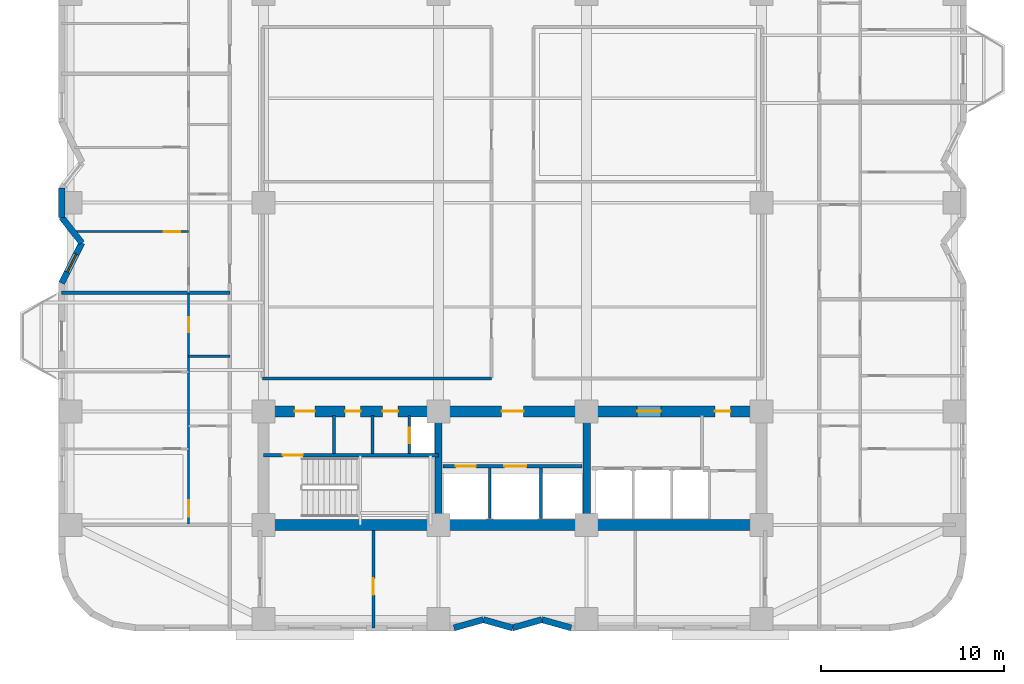
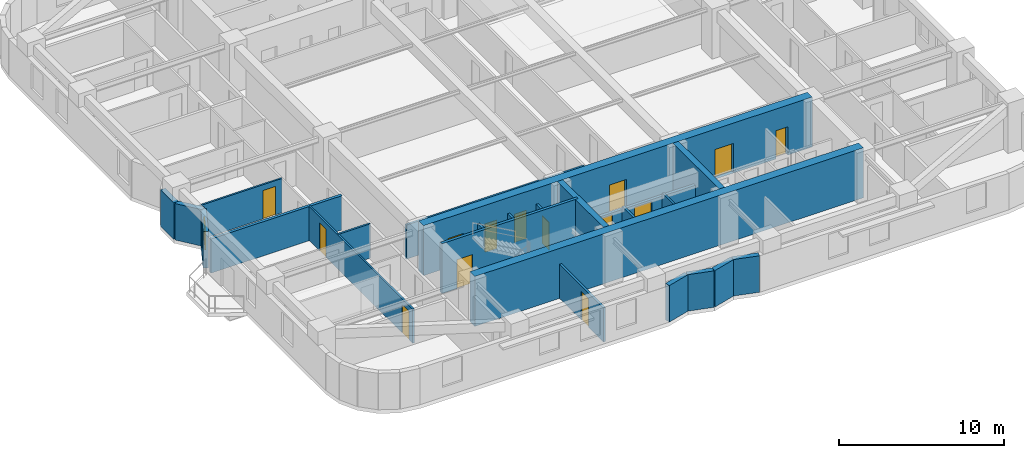
# One storey, part 3 of 10: 24 walls, 14 doors, 1 window, 15 openings.
"""IFC4 building model written with IfcOpenShell, lengths in metres."""

from ifc_helpers import new_model, si_unit, direction, frame, frame_2d, origin, place, context, subcontext, project, spatial, rectangle, extrude, material, layer, layer_set, type_object, element, fill, save


model = new_model("IFC4")

# Units and contexts
model_context = context("Model", 3, precision=1e-05, world=origin(), true_north=direction((0.0, 1.0)))
body_context = subcontext(model_context, "Body", "Model", "MODEL_VIEW")
ifc_project = project(units=[si_unit("LENGTHUNIT", "METRE"), si_unit("AREAUNIT", "SQUARE_METRE"), si_unit("VOLUMEUNIT", "CUBIC_METRE"), si_unit("PLANEANGLEUNIT", "RADIAN"), si_unit("MASSUNIT", "GRAM", prefix="KILO")], contexts=[model_context])

# Site, building, storey
site_placement = place(None, origin())
site = spatial("IfcSite", under=ifc_project, at=site_placement, CompositionType="ELEMENT")
building_placement = place(site_placement, origin())
building = spatial("IfcBuilding", under=site, at=building_placement, Name="Svetorya Sky Lyceum", CompositionType="ELEMENT")
storey_placement = place(building_placement, frame((0.0, 0.0, 69.5)))
storey = spatial("IfcBuildingStorey", under=building, at=storey_placement, Name="L17", CompositionType="ELEMENT", Elevation=69.5)

# Walls
ifc_material_1 = material(Name="Concrete C40/50", Category="concrete")
ifc_layer_1 = layer(ifc_material_1, 0.39990234375)
ifc_layer_set_1 = layer_set([ifc_layer_1], Name="Concrete C40/50")
wall_type_1 = type_object("IfcWallType", Name="WL-CORE-400", PredefinedType="SHEAR", material=ifc_layer_set_1)
for number, where, z_axis, x_axis, name in (
    (1, (35.14990234375, 10.89990234375, 0.0), (0.0, 0.0, 1.0), (0.0, 1.0, 0.0), "L17 SC Internal Shear Web WEB1"),
    (2, (43.25, 10.89990234375, 0.0), (0.0, 0.0, 1.0), (0.0, 1.0, 0.0), "L17 SC Internal Shear Web WEB2"),
):
    element("IfcWall", number, at=place(storey_placement, frame(where, z_axis=z_axis, x_axis=x_axis)), inside=storey, type_object=wall_type_1, Name=name, PredefinedType="SHEAR", context=body_context, shape_type="SweptSolid", body=[
        extrude(rectangle(XDim=5.60009765625, YDim=0.39990234375, at=frame_2d((2.800048828125, 0.0))), origin(), (0.0, 0.0, 1.0), 3.699951171875),
    ])
ifc_material_2 = material(Name="Concrete C60/75", Category="concrete")
ifc_layer_2 = layer(ifc_material_2, 0.60009765625)
ifc_layer_set_2 = layer_set([ifc_layer_2], Name="Concrete C60/75")
wall_type_2 = type_object("IfcWallType", Name="WL-CORE-600", PredefinedType="SHEAR", material=ifc_layer_set_2)
wall_1_placement = place(storey_placement, frame((52.800048828125, 10.60009765625, 0.0), z_axis=(0.0, 0.0, 1.0), x_axis=(-1.0, 0.0, 0.0)))
element("IfcWall", 3, at=wall_1_placement, inside=storey, type_object=wall_type_2, Name="L17 SC Outer Core Shear Wall", PredefinedType="SHEAR", context=body_context, shape_type="SweptSolid", body=[
    extrude(rectangle(XDim=27.199951171875, YDim=0.60009765625, at=frame_2d((13.60009765625, 0.0))), origin(), (0.0, 0.0, 1.0), 3.699951171875),
])

# Wall, openings, doors
wall_2_placement = place(storey_placement, frame((25.60009765625, 16.800048828125, 0.0), z_axis=(0.0, 0.0, 1.0), x_axis=(1.0, 0.0, 0.0)))
wall_2 = element("IfcWall", 4, at=wall_2_placement, inside=storey, type_object=wall_type_2, Name="L17 SC Inner Core Shear Wall", PredefinedType="SHEAR", context=body_context, shape_type="SweptSolid", body=[
    extrude(rectangle(XDim=27.199951171875, YDim=0.60009765625, at=frame_2d((13.60009765625, 0.0))), origin(), (0.0, 0.0, 1.0), 3.699951171875),
])
opening_1_placement = place(wall_2_placement, frame((1.699951171875, 0.0, 0.0)))
opening_1 = element("IfcOpeningElement", 5, at=opening_1_placement, cuts=wall_2, Name="Opening D-ST1", PredefinedType="OPENING", context=body_context, shape_type="SweptSolid", body=[
    extrude(rectangle(XDim=1.10009765625, YDim=2.14990234375, at=frame_2d((0.550048828125, 1.074951171875))), frame((0.0, 0.31005859375, 0.0), z_axis=(0.0, -1.0, 0.0), x_axis=(1.0, 0.0, 0.0)), (0.0, 0.0, 1.0), 0.6201171875),
])
opening_2_placement = place(wall_2_placement, frame((4.449951171875, 0.0, 0.0)))
opening_2 = element("IfcOpeningElement", 6, at=opening_2_placement, cuts=wall_2, Name="Opening D-CWC1", PredefinedType="OPENING", context=body_context, shape_type="SweptSolid", body=[
    extrude(rectangle(XDim=0.85009765625, YDim=2.10009765625, at=frame_2d((0.425048828125, 1.050048828125))), frame((0.0, 0.31005859375, 0.0), z_axis=(0.0, -1.0, 0.0), x_axis=(1.0, 0.0, 0.0)), (0.0, 0.0, 1.0), 0.6201171875),
])
opening_3_placement = place(wall_2_placement, frame((6.5, 0.0, 0.0)))
opening_3 = element("IfcOpeningElement", 7, at=opening_3_placement, cuts=wall_2, Name="Opening D-CWC1", PredefinedType="OPENING", context=body_context, shape_type="SweptSolid", body=[
    extrude(rectangle(XDim=0.85009765625, YDim=2.10009765625, at=frame_2d((0.425048828125, 1.050048828125))), frame((0.0, 0.31005859375, 0.0), z_axis=(0.0, -1.0, 0.0), x_axis=(1.0, 0.0, 0.0)), (0.0, 0.0, 1.0), 0.6201171875),
])
opening_4_placement = place(wall_2_placement, frame((13.0, 0.0, 0.0)))
opening_4 = element("IfcOpeningElement", 8, at=opening_4_placement, cuts=wall_2, Name="Opening D-FL1", PredefinedType="OPENING", context=body_context, shape_type="SweptSolid", body=[
    extrude(rectangle(XDim=1.199951171875, YDim=2.14990234375, at=frame_2d((0.60009765625, 1.074951171875))), frame((0.0, 0.31005859375, 0.0), z_axis=(0.0, -1.0, 0.0), x_axis=(1.0, 0.0, 0.0)), (0.0, 0.0, 1.0), 0.6201171875),
])
opening_5_placement = place(wall_2_placement, frame((20.39990234375, 0.0, 0.0)))
opening_5 = element("IfcOpeningElement", 9, at=opening_5_placement, cuts=wall_2, Name="Opening D-LB1", PredefinedType="OPENING", context=body_context, shape_type="SweptSolid", body=[
    extrude(rectangle(XDim=1.300048828125, YDim=2.199951171875, at=frame_2d((0.64990234375, 1.10009765625))), frame((0.0, 0.31005859375, 0.0), z_axis=(0.0, -1.0, 0.0), x_axis=(1.0, 0.0, 0.0)), (0.0, 0.0, 1.0), 0.6201171875),
])
opening_6_placement = place(wall_2_placement, frame((24.64990234375, 0.0, 0.0)))
opening_6 = element("IfcOpeningElement", 10, at=opening_6_placement, cuts=wall_2, Name="Opening D-CWC1", PredefinedType="OPENING", context=body_context, shape_type="SweptSolid", body=[
    extrude(rectangle(XDim=0.85009765625, YDim=2.10009765625, at=frame_2d((0.425048828125, 1.050048828125))), frame((0.0, 0.31005859375, 0.0), z_axis=(0.0, -1.0, 0.0), x_axis=(1.0, 0.0, 0.0)), (0.0, 0.0, 1.0), 0.6201171875),
])
ifc_material_3 = material(Name="Fire-rated galvanized steel core service closet door", Category="steel")
door_type_1 = type_object("IfcDoorType", Name="DR-CWET-850", OperationType="SINGLE_SWING_LEFT", PredefinedType="DOOR", material=ifc_material_3)
door_1_placement = place(opening_2_placement, origin())
door_1 = element("IfcDoor", 11, at=door_1_placement, inside=storey, type_object=door_type_1, Name="L17 South Mop Closet Door", OperationType="SINGLE_SWING_LEFT", OverallHeight=2.10009765625, OverallWidth=0.85009765625, PredefinedType="DOOR", context=body_context, shape_type="SweptSolid", body=[
    extrude(rectangle(XDim=0.85009765625, YDim=2.10009765625, at=frame_2d((0.425048828125, 1.050048828125))), frame((0.0, 0.02490234375, 0.0), z_axis=(0.0, -1.0, 0.0), x_axis=(1.0, 0.0, 0.0)), (0.0, 0.0, 1.0), 0.050048828125),
])
fill(opening_2, door_1)
door_2_placement = place(opening_3_placement, origin())
door_2 = element("IfcDoor", 12, at=door_2_placement, inside=storey, type_object=door_type_1, Name="L17 South West WC Door", OperationType="SINGLE_SWING_RIGHT", OverallHeight=2.10009765625, OverallWidth=0.85009765625, PredefinedType="DOOR", context=body_context, shape_type="SweptSolid", body=[
    extrude(rectangle(XDim=0.85009765625, YDim=2.10009765625, at=frame_2d((0.425048828125, 1.050048828125))), frame((0.0, 0.02490234375, 0.0), z_axis=(0.0, -1.0, 0.0), x_axis=(1.0, 0.0, 0.0)), (0.0, 0.0, 1.0), 0.050048828125),
])
fill(opening_3, door_2)
door_3_placement = place(opening_6_placement, origin())
door_3 = element("IfcDoor", 13, at=door_3_placement, inside=storey, type_object=door_type_1, Name="L17 South Core Auxiliary Door", OperationType="SINGLE_SWING_LEFT", OverallHeight=2.10009765625, OverallWidth=0.85009765625, PredefinedType="DOOR", context=body_context, shape_type="SweptSolid", body=[
    extrude(rectangle(XDim=0.85009765625, YDim=2.10009765625, at=frame_2d((0.425048828125, 1.050048828125))), frame((0.0, 0.02490234375, 0.0), z_axis=(0.0, -1.0, 0.0), x_axis=(1.0, 0.0, 0.0)), (0.0, 0.0, 1.0), 0.050048828125),
])
fill(opening_6, door_3)
ifc_material_4 = material(Name="Powder-coated insulated galvanized stair fire door")
door_type_2 = type_object("IfcDoorType", Name="DR-FIRE-1100", OperationType="SINGLE_SWING_LEFT", PredefinedType="DOOR", material=ifc_material_4)
door_4_placement = place(opening_1_placement, origin())
door_4 = element("IfcDoor", 14, at=door_4_placement, inside=storey, type_object=door_type_2, Name="L17 South Stair Airlock Door", OperationType="SINGLE_SWING_RIGHT", OverallHeight=2.14990234375, OverallWidth=1.10009765625, PredefinedType="DOOR", context=body_context, shape_type="SweptSolid", body=[
    extrude(rectangle(XDim=1.10009765625, YDim=2.14990234375, at=frame_2d((0.550048828125, 1.074951171875))), frame((0.0, 0.02490234375, 0.0), z_axis=(0.0, -1.0, 0.0), x_axis=(1.0, 0.0, 0.0)), (0.0, 0.0, 1.0), 0.050048828125),
])
fill(opening_1, door_4)
ifc_material_5 = material(Name="Powder-coated insulated galvanized fire door")
door_type_3 = type_object("IfcDoorType", Name="DR-FIRE-1200", OperationType="SINGLE_SWING_LEFT", PredefinedType="DOOR", material=ifc_material_5)
door_5_placement = place(opening_4_placement, origin())
door_5 = element("IfcDoor", 15, at=door_5_placement, inside=storey, type_object=door_type_3, Name="L17 South Firefighting Lift Lobby Door", OperationType="SINGLE_SWING_LEFT", OverallHeight=2.14990234375, OverallWidth=1.199951171875, PredefinedType="DOOR", context=body_context, shape_type="SweptSolid", body=[
    extrude(rectangle(XDim=1.199951171875, YDim=2.14990234375, at=frame_2d((0.60009765625, 1.074951171875))), frame((0.0, 0.02490234375, 0.0), z_axis=(0.0, -1.0, 0.0), x_axis=(1.0, 0.0, 0.0)), (0.0, 0.0, 1.0), 0.050048828125),
])
fill(opening_4, door_5)
ifc_material_6 = material(Name="Glazed fire-rated aluminium lobby door", Category="aluminium")
door_type_4 = type_object("IfcDoorType", Name="DR-LOB-1300", OperationType="SINGLE_SWING_LEFT", PredefinedType="DOOR", material=ifc_material_6)
door_6_placement = place(opening_5_placement, origin())
door_6 = element("IfcDoor", 16, at=door_6_placement, inside=storey, type_object=door_type_4, Name="L17 Low-Rise Lift Lobby Door", OperationType="SINGLE_SWING_RIGHT", OverallHeight=2.199951171875, OverallWidth=1.300048828125, PredefinedType="DOOR", context=body_context, shape_type="SweptSolid", body=[
    extrude(rectangle(XDim=1.300048828125, YDim=2.199951171875, at=frame_2d((0.64990234375, 1.10009765625))), frame((0.0, 0.02490234375, 0.0), z_axis=(0.0, -1.0, 0.0), x_axis=(1.0, 0.0, 0.0)), (0.0, 0.0, 1.0), 0.050048828125),
])
fill(opening_5, door_6)

# Walls
ifc_material_7 = material(Name="Putilovo limestone rainscreen on autoclaved cellular masonry", Category="masonry")
ifc_layer_3 = layer(ifc_material_7, 0.340087890625)
ifc_layer_set_3 = layer_set([ifc_layer_3], Name="Putilovo limestone rainscreen on autoclaved cellular masonry")
wall_type_3 = type_object("IfcWallType", Name="WL-EXT-340", PredefinedType="SOLIDWALL", material=ifc_layer_set_3)
wall_3_placement = place(storey_placement, frame((36.0, 4.969970703125, 0.0), z_axis=(0.0, 0.0, 1.0), x_axis=(0.962662902433, 0.270703040766, 0.0)))
element("IfcWall", 17, at=wall_3_placement, inside=storey, type_object=wall_type_3, Name="L17 Limestone Exterior Wall 7M", PredefinedType="SOLIDWALL", context=body_context, shape_type="SweptSolid", body=[
    extrude(rectangle(XDim=1.662109375, YDim=0.340087890625, at=frame_2d((0.8310546875, 0.0))), origin(), (0.0, 0.0, 1.0), 2.699951171875),
])
wall_4_placement = place(storey_placement, frame((37.60009765625, 5.419921875, 0.0), z_axis=(0.0, 0.0, 1.0), x_axis=(0.962652136636, -0.270741322725, 0.0)))
element("IfcWall", 18, at=wall_4_placement, inside=storey, type_object=wall_type_3, Name="L17 Limestone Exterior Wall 8M", PredefinedType="SOLIDWALL", context=body_context, shape_type="SweptSolid", body=[
    extrude(rectangle(XDim=1.661865234375, YDim=0.340087890625, at=frame_2d((0.8310546875, 0.0))), origin(), (0.0, 0.0, 1.0), 2.699951171875),
])
wall_5_placement = place(storey_placement, frame((39.199951171875, 4.969970703125, 0.0), z_axis=(0.0, 0.0, 1.0), x_axis=(0.962662902433, 0.270703040766, 0.0)))
element("IfcWall", 19, at=wall_5_placement, inside=storey, type_object=wall_type_3, Name="L17 Limestone Exterior Wall 9M", PredefinedType="SOLIDWALL", context=body_context, shape_type="SweptSolid", body=[
    extrude(rectangle(XDim=1.662109375, YDim=0.340087890625, at=frame_2d((0.8310546875, 0.0))), origin(), (0.0, 0.0, 1.0), 2.699951171875),
])
wall_6_placement = place(storey_placement, frame((40.800048828125, 5.419921875, 0.0), z_axis=(0.0, 0.0, 1.0), x_axis=(0.962652136636, -0.270741322725, 0.0)))
element("IfcWall", 20, at=wall_6_placement, inside=storey, type_object=wall_type_3, Name="L17 Limestone Exterior Wall 10M", PredefinedType="SOLIDWALL", context=body_context, shape_type="SweptSolid", body=[
    extrude(rectangle(XDim=1.661865234375, YDim=0.340087890625, at=frame_2d((0.8310546875, 0.0))), origin(), (0.0, 0.0, 1.0), 2.699951171875),
])
wall_7_placement = place(storey_placement, frame((14.570068359375, 29.0, 0.0), z_axis=(0.0, 0.0, 1.0), x_axis=(0.0, -1.0, 0.0)))
element("IfcWall", 21, at=wall_7_placement, inside=storey, type_object=wall_type_3, Name="L17 Limestone Exterior Wall 43M", PredefinedType="SOLIDWALL", context=body_context, shape_type="SweptSolid", body=[
    extrude(rectangle(XDim=1.60009765625, YDim=0.340087890625, at=frame_2d((0.800048828125, 0.0))), origin(), (0.0, 0.0, 1.0), 2.699951171875),
])
wall_8_placement = place(storey_placement, frame((14.570068359375, 27.39990234375, 0.0), z_axis=(0.0, 0.0, 1.0), x_axis=(0.617797325735, -0.786337373088, 0.0)))
element("IfcWall", 22, at=wall_8_placement, inside=storey, type_object=wall_type_3, Name="L17 Limestone Exterior Wall 44M", PredefinedType="SOLIDWALL", context=body_context, shape_type="SweptSolid", body=[
    extrude(rectangle(XDim=1.7802734375, YDim=0.340087890625, at=frame_2d((0.89013671875, 0.0))), origin(), (0.0, 0.0, 1.0), 2.699951171875),
])

# Wall, opening, window
wall_9_placement = place(storey_placement, frame((15.669921875, 26.0, 0.0), z_axis=(0.0, 0.0, 1.0), x_axis=(-0.447173890385, -0.894447042456, 0.0)))
wall_9 = element("IfcWall", 23, at=wall_9_placement, inside=storey, type_object=wall_type_3, Name="L17 Limestone Exterior Wall 45M", PredefinedType="SOLIDWALL", context=body_context, shape_type="SweptSolid", body=[
    extrude(rectangle(XDim=2.45947265625, YDim=0.340087890625, at=frame_2d((1.229736328125, 0.0))), origin(), (0.0, 0.0, 1.0), 2.699951171875),
])
opening_7_placement = place(wall_9_placement, frame((0.6796875, 0.0, 0.889892578125)))
opening_7 = element("IfcOpeningElement", 24, at=opening_7_placement, cuts=wall_9, Name="Opening W-R3", PredefinedType="OPENING", context=body_context, shape_type="SweptSolid", body=[
    extrude(rectangle(XDim=1.10009765625, YDim=1.64990234375, at=frame_2d((0.550048828125, 0.824951171875))), frame((0.0, 0.179931640625, 0.0), z_axis=(0.0, -1.0, 0.0), x_axis=(1.0, 0.0, 0.0)), (0.0, 0.0, 1.0), 0.360107421875),
])
ifc_material_8 = material(Name="Thermally broken aluminium frame with triple low-E glazing", Category="aluminium")
window_type = type_object("IfcWindowType", Name="WN-RES-110", PartitioningType="SINGLE_PANEL", PredefinedType="WINDOW", material=ifc_material_8)
window_placement = place(opening_7_placement, origin())
window = element("IfcWindow", 25, at=window_placement, inside=storey, type_object=window_type, Name="L17 Facade Window W-R3.45M.1", OverallHeight=1.64990234375, OverallWidth=1.10009765625, PartitioningType="SINGLE_PANEL", PredefinedType="WINDOW", context=body_context, shape_type="SweptSolid", body=[
    extrude(rectangle(XDim=1.10009765625, YDim=1.64990234375, at=frame_2d((0.550048828125, 0.824951171875))), frame((0.0, 0.030029296875, 0.0), z_axis=(0.0, -1.0, 0.0), x_axis=(1.0, 0.0, 0.0)), (0.0, 0.0, 1.0), 0.06005859375),
])
fill(opening_7, window)

# Wall, openings, doors
ifc_material_9 = material(Name="Twin-stud galvanized framing with double fireboard", Category="gypsum")
ifc_layer_4 = layer(ifc_material_9, 0.1201171875)
ifc_layer_set_4 = layer_set([ifc_layer_4], Name="Twin-stud galvanized framing with double fireboard")
wall_type_4 = type_object("IfcWallType", Name="WL-PART-120", PredefinedType="PARTITIONING", material=ifc_layer_set_4)
wall_10_placement = place(storey_placement, frame((21.5, 10.639892578125, 0.0), z_axis=(0.0, 0.0, 1.0), x_axis=(0.0, 1.0, 0.0)))
wall_10 = element("IfcWall", 26, at=wall_10_placement, inside=storey, type_object=wall_type_4, Name="L17 Interior Partition W1-WV", PredefinedType="PARTITIONING", context=body_context, shape_type="SweptSolid", body=[
    extrude(rectangle(XDim=12.592041015625, YDim=0.1201171875, at=frame_2d((6.2958984375, 0.0))), origin(), (0.0, 0.0, 1.0), 2.530029296875),
])
opening_8_placement = place(wall_10_placement, frame((0.409912109375, 0.0, 0.0)))
opening_8 = element("IfcOpeningElement", 27, at=opening_8_placement, cuts=wall_10, Name="Opening D-RM1", PredefinedType="OPENING", context=body_context, shape_type="SweptSolid", body=[
    extrude(rectangle(XDim=0.89990234375, YDim=2.10009765625, at=frame_2d((0.449951171875, 1.050048828125))), frame((0.0, 0.070068359375, 0.0), z_axis=(0.0, -1.0, 0.0), x_axis=(1.0, 0.0, 0.0)), (0.0, 0.0, 1.0), 0.14013671875),
])
opening_9_placement = place(wall_10_placement, frame((10.470947265625, 0.0, 0.0)))
opening_9 = element("IfcOpeningElement", 28, at=opening_9_placement, cuts=wall_10, Name="Opening D-BT2", PredefinedType="OPENING", context=body_context, shape_type="SweptSolid", body=[
    extrude(rectangle(XDim=0.820068359375, YDim=2.080078125, at=frame_2d((0.41015625, 1.0400390625))), frame((0.0, 0.070068359375, 0.0), z_axis=(0.0, -1.0, 0.0), x_axis=(1.0, 0.0, 0.0)), (0.0, 0.0, 1.0), 0.14013671875),
])
ifc_material_10 = material(Name="Lacquered birch veneer internal door")
door_type_5 = type_object("IfcDoorType", Name="DR-INT-900", OperationType="SINGLE_SWING_LEFT", PredefinedType="DOOR", material=ifc_material_10)
door_7_placement = place(opening_8_placement, origin())
door_7 = element("IfcDoor", 29, at=door_7_placement, inside=storey, type_object=door_type_5, Name="Apartment W1 Living Door", OperationType="SINGLE_SWING_RIGHT", OverallHeight=2.10009765625, OverallWidth=0.89990234375, PredefinedType="DOOR", context=body_context, shape_type="SweptSolid", body=[
    extrude(rectangle(XDim=0.89990234375, YDim=2.10009765625, at=frame_2d((0.449951171875, 1.050048828125))), frame((0.0, 0.02490234375, 0.0), z_axis=(0.0, -1.0, 0.0), x_axis=(1.0, 0.0, 0.0)), (0.0, 0.0, 1.0), 0.050048828125),
])
fill(opening_8, door_7)
ifc_material_11 = material(Name="Compact moisture-resistant laminate closet door")
door_type_6 = type_object("IfcDoorType", Name="DR-WET-820", OperationType="SINGLE_SWING_LEFT", PredefinedType="DOOR", material=ifc_material_11)
door_8_placement = place(opening_9_placement, origin())
door_8 = element("IfcDoor", 30, at=door_8_placement, inside=storey, type_object=door_type_6, Name="Apartment W1 Study Door", OperationType="SINGLE_SWING_LEFT", OverallHeight=2.080078125, OverallWidth=0.820068359375, PredefinedType="DOOR", context=body_context, shape_type="SweptSolid", body=[
    extrude(rectangle(XDim=0.820068359375, YDim=2.080078125, at=frame_2d((0.41015625, 1.0400390625))), frame((0.0, 0.02490234375, 0.0), z_axis=(0.0, -1.0, 0.0), x_axis=(1.0, 0.0, 0.0)), (0.0, 0.0, 1.0), 0.050048828125),
])
fill(opening_9, door_8)

# Wall, opening, door
wall_11_placement = place(storey_placement, frame((15.181396484375, 26.6220703125, 0.0), z_axis=(0.0, 0.0, 1.0), x_axis=(1.0, 0.0, 0.0)))
wall_11 = element("IfcWall", 31, at=wall_11_placement, inside=storey, type_object=wall_type_4, Name="L17 Interior Partition W2-WL1", PredefinedType="PARTITIONING", context=body_context, shape_type="SweptSolid", body=[
    extrude(rectangle(XDim=6.318603515625, YDim=0.1201171875, at=frame_2d((3.1591796875, 0.0))), origin(), (0.0, 0.0, 1.0), 2.530029296875),
])
opening_10_placement = place(wall_11_placement, frame((4.96875, 0.0, 0.0)))
opening_10 = element("IfcOpeningElement", 32, at=opening_10_placement, cuts=wall_11, Name="Opening D-RM1", PredefinedType="OPENING", context=body_context, shape_type="SweptSolid", body=[
    extrude(rectangle(XDim=0.89990234375, YDim=2.10009765625, at=frame_2d((0.449951171875, 1.050048828125))), frame((0.0, 0.070068359375, 0.0), z_axis=(0.0, -1.0, 0.0), x_axis=(1.0, 0.0, 0.0)), (0.0, 0.0, 1.0), 0.14013671875),
])
door_9_placement = place(opening_10_placement, origin())
door_9 = element("IfcDoor", 33, at=door_9_placement, inside=storey, type_object=door_type_5, Name="Apartment W2 Master Bedroom Door", OperationType="SINGLE_SWING_RIGHT", OverallHeight=2.10009765625, OverallWidth=0.89990234375, PredefinedType="DOOR", context=body_context, shape_type="SweptSolid", body=[
    extrude(rectangle(XDim=0.89990234375, YDim=2.10009765625, at=frame_2d((0.449951171875, 1.050048828125))), frame((0.0, 0.02490234375, 0.0), z_axis=(0.0, -1.0, 0.0), x_axis=(1.0, 0.0, 0.0)), (0.0, 0.0, 1.0), 0.050048828125),
])
fill(opening_10, door_9)

# Walls
ifc_material_12 = material(Name="Twin-stud galvanized framing with acoustic board", Category="gypsum")
ifc_layer_5 = layer(ifc_material_12, 0.135009765625)
ifc_layer_set_5 = layer_set([ifc_layer_5], Name="Twin-stud galvanized framing with acoustic board")
wall_type_5 = type_object("IfcWallType", Name="WL-PART-135", PredefinedType="PARTITIONING", material=ifc_layer_set_5)
wall_12_placement = place(storey_placement, frame((21.5, 19.800048828125, 0.0), z_axis=(0.0, 0.0, 1.0), x_axis=(1.0, 0.0, 0.0)))
element("IfcWall", 34, at=wall_12_placement, inside=storey, type_object=wall_type_5, Name="L17 Interior Partition W1-WH2", PredefinedType="PARTITIONING", context=body_context, shape_type="SweptSolid", body=[
    extrude(rectangle(XDim=2.25, YDim=0.135009765625, at=frame_2d((1.125, 0.0))), origin(), (0.0, 0.0, 1.0), 2.530029296875),
])
ifc_material_13 = material(Name="Autoclaved cellular masonry blockwork with acoustic render", Category="masonry")
ifc_layer_6 = layer(ifc_material_13, 0.14990234375)
ifc_layer_set_6 = layer_set([ifc_layer_6], Name="Autoclaved cellular masonry blockwork with acoustic render")
wall_type_6 = type_object("IfcWallType", Name="WL-PART-150", PredefinedType="PARTITIONING", material=ifc_layer_set_6)
for number, where, z_axis, x_axis, name in (
    (35, (29.449951171875, 14.5, 0.0), (0.0, 0.0, 1.0), (0.0, 1.0, 0.0), "L17 Interior Partition SC-SWD1"),
    (36, (31.550048828125, 14.5, 0.0), (0.0, 0.0, 1.0), (0.0, 1.0, 0.0), "L17 Interior Partition SC-SWD2"),
):
    element("IfcWall", number, at=place(storey_placement, frame(where, z_axis=z_axis, x_axis=x_axis)), inside=storey, type_object=wall_type_6, Name=name, PredefinedType="PARTITIONING", context=body_context, shape_type="SweptSolid", body=[
        extrude(rectangle(XDim=2.080078125, YDim=0.14990234375, at=frame_2d((1.0400390625, 0.0))), origin(), (0.0, 0.0, 1.0), 2.530029296875),
    ])

# Wall, opening, door
wall_13_placement = place(storey_placement, frame((33.550048828125, 14.5, 0.0), z_axis=(0.0, 0.0, 1.0), x_axis=(0.0, 1.0, 0.0)))
wall_13 = element("IfcWall", 37, at=wall_13_placement, inside=storey, type_object=wall_type_6, Name="L17 Interior Partition SC-SWD3", PredefinedType="PARTITIONING", context=body_context, shape_type="SweptSolid", body=[
    extrude(rectangle(XDim=2.080078125, YDim=0.14990234375, at=frame_2d((1.0400390625, 0.0))), origin(), (0.0, 0.0, 1.0), 2.530029296875),
])
opening_11_placement = place(wall_13_placement, frame((0.550048828125, 0.0, 0.0)))
opening_11 = element("IfcOpeningElement", 38, at=opening_11_placement, cuts=wall_13, Name="Opening D-SH1", PredefinedType="OPENING", context=body_context, shape_type="SweptSolid", body=[
    extrude(rectangle(XDim=0.85009765625, YDim=2.050048828125, at=frame_2d((0.425048828125, 1.02490234375))), frame((0.0, 0.0849609375, 0.0), z_axis=(0.0, -1.0, 0.0), x_axis=(1.0, 0.0, 0.0)), (0.0, 0.0, 1.0), 0.169921875),
])
ifc_material_14 = material(Name="Insulated galvanized riser inspection fire door")
door_type_7 = type_object("IfcDoorType", Name="DR-SHFT-850", OperationType="SINGLE_SWING_LEFT", PredefinedType="TRAPDOOR", material=ifc_material_14)
door_10_placement = place(opening_11_placement, origin())
door_10 = element("IfcDoor", 39, at=door_10_placement, inside=storey, type_object=door_type_7, Name="L17 South Riser Access Door", OperationType="SINGLE_SWING_RIGHT", OverallHeight=2.050048828125, OverallWidth=0.85009765625, PredefinedType="TRAPDOOR", context=body_context, shape_type="SweptSolid", body=[
    extrude(rectangle(XDim=0.85009765625, YDim=2.050048828125, at=frame_2d((0.425048828125, 1.02490234375))), frame((0.0, 0.02490234375, 0.0), z_axis=(0.0, -1.0, 0.0), x_axis=(1.0, 0.0, 0.0)), (0.0, 0.0, 1.0), 0.050048828125),
])
fill(opening_11, door_10)

# Walls
for number, where, z_axis, x_axis, name in (
    (40, (37.949951171875, 10.949951171875, 0.0), (0.0, 0.0, 1.0), (0.0, 1.0, 0.0), "L17 Interior Partition SC-SHD1"),
    (41, (40.75, 10.949951171875, 0.0), (0.0, 0.0, 1.0), (0.0, 1.0, 0.0), "L17 Interior Partition SC-SHD2"),
):
    element("IfcWall", number, at=place(storey_placement, frame(where, z_axis=z_axis, x_axis=x_axis)), inside=storey, type_object=wall_type_6, Name=name, PredefinedType="PARTITIONING", context=body_context, shape_type="SweptSolid", body=[
        extrude(rectangle(XDim=2.75, YDim=0.14990234375, at=frame_2d((1.375, 0.0))), origin(), (0.0, 0.0, 1.0), 2.530029296875),
    ])
wall_14_placement = place(storey_placement, frame((25.550048828125, 18.60009765625, 0.0), z_axis=(0.0, 0.0, 1.0), x_axis=(1.0, 0.0, 0.0)))
element("IfcWall", 42, at=wall_14_placement, inside=storey, type_object=wall_type_6, Name="L17 Interior Partition CS-MID-W", PredefinedType="PARTITIONING", context=body_context, shape_type="SweptSolid", body=[
    extrude(rectangle(XDim=12.5, YDim=0.14990234375, at=frame_2d((6.25, 0.0))), origin(), (0.0, 0.0, 1.0), 2.530029296875),
])

# Wall, opening, door
wall_15_placement = place(storey_placement, frame((31.60009765625, 4.969970703125, 0.0), z_axis=(0.0, 0.0, 1.0), x_axis=(0.0, 1.0, 0.0)))
wall_15 = element("IfcWall", 43, at=wall_15_placement, inside=storey, type_object=wall_type_6, Name="L17 Interior Partition S-D1", PredefinedType="PARTITIONING", context=body_context, shape_type="SweptSolid", body=[
    extrude(rectangle(XDim=5.330078125, YDim=0.14990234375, at=frame_2d((2.6650390625, 0.0))), origin(), (0.0, 0.0, 1.0), 2.530029296875),
])
opening_12_placement = place(wall_15_placement, frame((1.800048828125, 0.0, 0.0)))
opening_12 = element("IfcOpeningElement", 44, at=opening_12_placement, cuts=wall_15, Name="Opening D-RM1", PredefinedType="OPENING", context=body_context, shape_type="SweptSolid", body=[
    extrude(rectangle(XDim=0.89990234375, YDim=2.10009765625, at=frame_2d((0.449951171875, 1.050048828125))), frame((0.0, 0.0849609375, 0.0), z_axis=(0.0, -1.0, 0.0), x_axis=(1.0, 0.0, 0.0)), (0.0, 0.0, 1.0), 0.169921875),
])
door_11_placement = place(opening_12_placement, origin())
door_11 = element("IfcDoor", 45, at=door_11_placement, inside=storey, type_object=door_type_5, Name="L17 South Store Door", OperationType="SINGLE_SWING_LEFT", OverallHeight=2.10009765625, OverallWidth=0.89990234375, PredefinedType="DOOR", context=body_context, shape_type="SweptSolid", body=[
    extrude(rectangle(XDim=0.89990234375, YDim=2.10009765625, at=frame_2d((0.449951171875, 1.050048828125))), frame((0.0, 0.02490234375, 0.0), z_axis=(0.0, -1.0, 0.0), x_axis=(1.0, 0.0, 0.0)), (0.0, 0.0, 1.0), 0.050048828125),
])
fill(opening_12, door_11)

# Wall, openings, doors
ifc_material_15 = material(Name="Autoclaved cellular masonry blockwork with gypsum plaster", Category="masonry")
ifc_layer_7 = layer(ifc_material_15, 0.199951171875)
ifc_layer_set_7 = layer_set([ifc_layer_7], Name="Autoclaved cellular masonry blockwork with gypsum plaster")
wall_type_7 = type_object("IfcWallType", Name="WL-PART-200", PredefinedType="PARTITIONING", material=ifc_layer_set_7)
wall_16_placement = place(storey_placement, frame((35.39990234375, 13.800048828125, 0.0), z_axis=(0.0, 0.0, 1.0), x_axis=(1.0, 0.0, 0.0)))
wall_16 = element("IfcWall", 46, at=wall_16_placement, inside=storey, type_object=wall_type_7, Name="L17 Interior Partition SC-FLW", PredefinedType="PARTITIONING", context=body_context, shape_type="SweptSolid", body=[
    extrude(rectangle(XDim=7.60009765625, YDim=0.199951171875, at=frame_2d((3.800048828125, 0.0))), origin(), (0.0, 0.0, 1.0), 2.300048828125),
])
opening_13_placement = place(wall_16_placement, frame((0.699951171875, 0.0, 0.0)))
opening_13 = element("IfcOpeningElement", 47, at=opening_13_placement, cuts=wall_16, Name="Opening LD-FL", PredefinedType="OPENING", context=body_context, shape_type="SweptSolid", body=[
    extrude(rectangle(XDim=1.10009765625, YDim=2.14990234375, at=frame_2d((0.550048828125, 1.074951171875))), frame((0.0, 0.10986328125, 0.0), z_axis=(0.0, -1.0, 0.0), x_axis=(1.0, 0.0, 0.0)), (0.0, 0.0, 1.0), 0.219970703125),
])
opening_14_placement = place(wall_16_placement, frame((3.35009765625, 0.0, 0.0)))
opening_14 = element("IfcOpeningElement", 48, at=opening_14_placement, cuts=wall_16, Name="Opening LD-SV", PredefinedType="OPENING", context=body_context, shape_type="SweptSolid", body=[
    extrude(rectangle(XDim=1.199951171875, YDim=2.14990234375, at=frame_2d((0.60009765625, 1.074951171875))), frame((0.0, 0.10986328125, 0.0), z_axis=(0.0, -1.0, 0.0), x_axis=(1.0, 0.0, 0.0)), (0.0, 0.0, 1.0), 0.219970703125),
])
ifc_material_16 = material(Name="Fire-rated stainless AISI 304 firefighting lift landing door")
door_type_8 = type_object("IfcDoorType", Name="DR-LIFT-1100", OperationType="SLIDING_TO_LEFT", PredefinedType="DOOR", material=ifc_material_16)
door_12_placement = place(opening_13_placement, origin())
door_12 = element("IfcDoor", 49, at=door_12_placement, inside=storey, type_object=door_type_8, Name="L17 Firefighting Lift FL2 Landing Door", OperationType="SLIDING_TO_LEFT", OverallHeight=2.14990234375, OverallWidth=1.10009765625, PredefinedType="DOOR", context=body_context, shape_type="SweptSolid", body=[
    extrude(rectangle(XDim=1.10009765625, YDim=2.14990234375, at=frame_2d((0.550048828125, 1.074951171875))), frame((0.0, 0.02490234375, 0.0), z_axis=(0.0, -1.0, 0.0), x_axis=(1.0, 0.0, 0.0)), (0.0, 0.0, 1.0), 0.050048828125),
])
fill(opening_13, door_12)
ifc_material_17 = material(Name="Brushed stainless AISI 304 telescopic lift landing door")
door_type_9 = type_object("IfcDoorType", Name="DR-LIFT-1200", OperationType="SLIDING_TO_LEFT", PredefinedType="DOOR", material=ifc_material_17)
door_13_placement = place(opening_14_placement, origin())
door_13 = element("IfcDoor", 50, at=door_13_placement, inside=storey, type_object=door_type_9, Name="L17 Service Lift SVL1 Landing Door", OperationType="SLIDING_TO_LEFT", OverallHeight=2.14990234375, OverallWidth=1.199951171875, PredefinedType="DOOR", context=body_context, shape_type="SweptSolid", body=[
    extrude(rectangle(XDim=1.199951171875, YDim=2.14990234375, at=frame_2d((0.60009765625, 1.074951171875))), frame((0.0, 0.02490234375, 0.0), z_axis=(0.0, -1.0, 0.0), x_axis=(1.0, 0.0, 0.0)), (0.0, 0.0, 1.0), 0.050048828125),
])
fill(opening_14, door_13)

# Wall
wall_17_placement = place(storey_placement, frame((14.570068359375, 23.27197265625, 0.0), z_axis=(0.0, 0.0, 1.0), x_axis=(1.0, 0.0, 0.0)))
element("IfcWall", 51, at=wall_17_placement, inside=storey, type_object=wall_type_7, Name="L17 Interior Partition W-PARTY-1", PredefinedType="PARTITIONING", context=body_context, shape_type="SweptSolid", body=[
    extrude(rectangle(XDim=9.179931640625, YDim=0.199951171875, at=frame_2d((4.58984375, 0.0))), origin(), (0.0, 0.0, 1.0), 2.530029296875),
])

# Wall, opening, door
ifc_material_18 = material(Name="Concrete C50/60", Category="concrete")
ifc_layer_8 = layer(ifc_material_18, 0.199951171875)
ifc_layer_set_8 = layer_set([ifc_layer_8], Name="Concrete C50/60")
wall_type_8 = type_object("IfcWallType", Name="WL-SHW-200", PredefinedType="SHEAR", material=ifc_layer_set_8)
wall_18_placement = place(storey_placement, frame((25.60009765625, 14.39990234375, 0.0), z_axis=(0.0, 0.0, 1.0), x_axis=(1.0, 0.0, 0.0)))
wall_18 = element("IfcWall", 52, at=wall_18_placement, inside=storey, type_object=wall_type_8, Name="L17 Structural Stair Shaft Wall SC-STW", PredefinedType="SHEAR", context=body_context, shape_type="SweptSolid", body=[
    extrude(rectangle(XDim=9.5498046875, YDim=0.199951171875, at=frame_2d((4.77490234375, 0.0))), origin(), (0.0, 0.0, 1.0), 3.699951171875),
])
opening_15_placement = place(wall_18_placement, frame((1.050048828125, 0.0, 0.0)))
opening_15 = element("IfcOpeningElement", 53, at=opening_15_placement, cuts=wall_18, Name="Opening D-ST1", PredefinedType="OPENING", context=body_context, shape_type="SweptSolid", body=[
    extrude(rectangle(XDim=1.10009765625, YDim=2.14990234375, at=frame_2d((0.550048828125, 1.074951171875))), frame((0.0, 0.10986328125, 0.0), z_axis=(0.0, -1.0, 0.0), x_axis=(1.0, 0.0, 0.0)), (0.0, 0.0, 1.0), 0.219970703125),
])
door_14_placement = place(opening_15_placement, origin())
door_14 = element("IfcDoor", 54, at=door_14_placement, inside=storey, type_object=door_type_2, Name="L17 Stair ST-S Vestibule Fire Door", OperationType="SINGLE_SWING_LEFT", OverallHeight=2.14990234375, OverallWidth=1.10009765625, PredefinedType="DOOR", context=body_context, shape_type="SweptSolid", body=[
    extrude(rectangle(XDim=1.10009765625, YDim=2.14990234375, at=frame_2d((0.550048828125, 1.074951171875))), frame((0.0, 0.02490234375, 0.0), z_axis=(0.0, -1.0, 0.0), x_axis=(1.0, 0.0, 0.0)), (0.0, 0.0, 1.0), 0.050048828125),
])
fill(opening_15, door_14)

save(model, "model.ifc")
